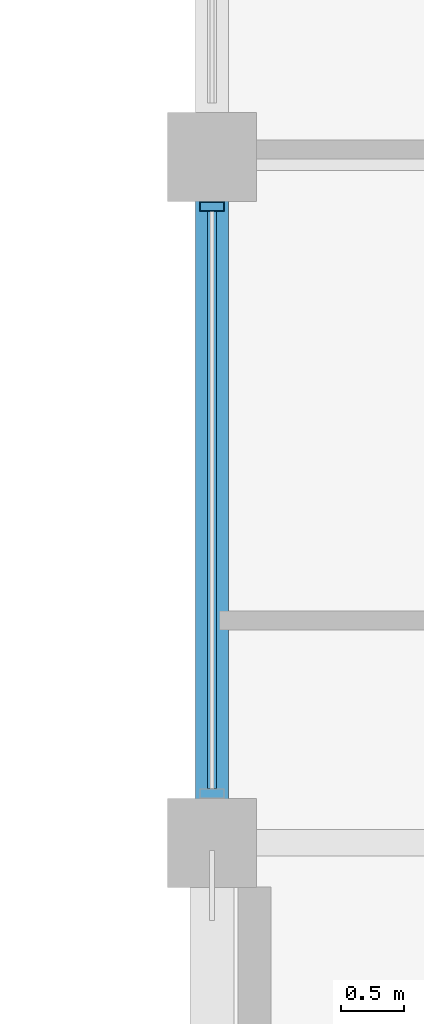
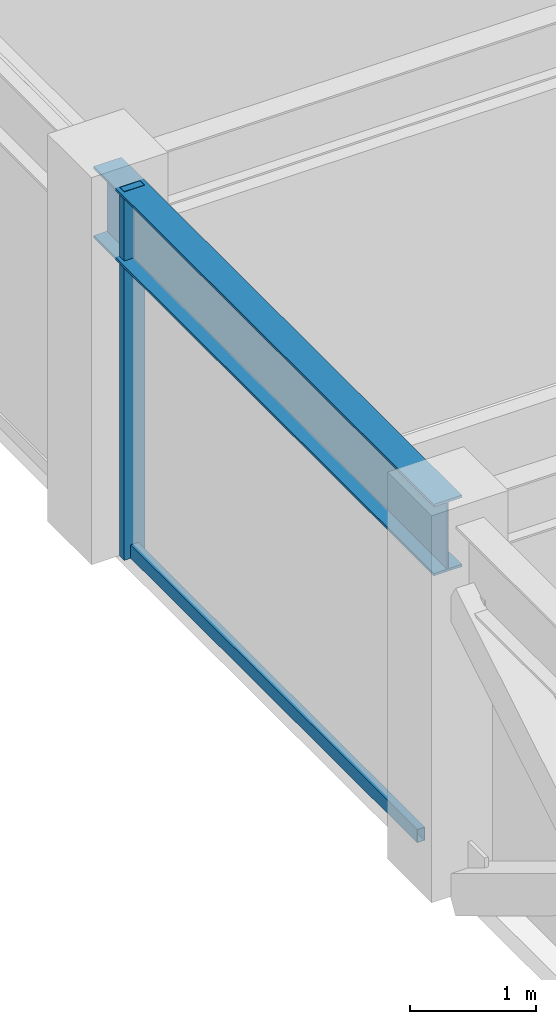
# One storey, part 3 of 29: 2 members, 1 beam, 1 element without a shape of its own.
"""IFC4 building model written with IfcOpenShell, lengths in metres."""

from ifc_helpers import new_model, si_unit, direction, frame, origin, origin_2d, place, context, subcontext, project, spatial, hollow_rectangle, i_section, extrude, material, layer, layer_set, material_profile, profile_set, type_object, element, aggregate, save


model = new_model("IFC4")

# Units and contexts
model_context = context("Model", 3, precision=1e-05, world=origin(), true_north=direction((0.0, 1.0)))
body_context = subcontext(model_context, "Body", "Model", "MODEL_VIEW")
ifc_project = project(units=[si_unit("LENGTHUNIT", "METRE"), si_unit("AREAUNIT", "SQUARE_METRE"), si_unit("VOLUMEUNIT", "CUBIC_METRE"), si_unit("PLANEANGLEUNIT", "RADIAN"), si_unit("MASSUNIT", "GRAM", prefix="KILO")], contexts=[model_context])

# Site, building, storey
site_placement = place(None, origin())
site = spatial("IfcSite", under=ifc_project, at=site_placement, CompositionType="ELEMENT")
building_placement = place(site_placement, origin())
building = spatial("IfcBuilding", under=site, at=building_placement, Name="Surkhivell Harbour Commons", CompositionType="ELEMENT")
storey_placement = place(building_placement, frame((0.0, 0.0, 326.25)))
storey = spatial("IfcBuildingStorey", under=building, at=storey_placement, Name="L85", CompositionType="ELEMENT", Elevation=326.25)

# Beam
ifc_material_1 = material(Name="Steel S355", Category="steel")
ifc_material_profile_1 = material_profile(ifc_material_1, i_section(OverallWidth=0.256103515625, OverallDepth=0.693115234375, WebThickness=0.014404296875, FlangeThickness=0.023681640625, at=origin_2d()), Name="UB686x254x170")
ifc_profile_set_1 = profile_set([ifc_material_profile_1], Name="Steel S355")
beam_type = type_object("IfcBeamType", Name="BM-SPN-686", PredefinedType="SPANDREL", material=ifc_profile_set_1)
beam_placement = place(storey_placement, frame((-27.0, -10.800048828125, 3.223388671875), z_axis=(0.0, 1.0, 0.0), x_axis=(-1.0, 0.0, 0.0)))
element("IfcBeam", 1, at=beam_placement, inside=storey, type_object=beam_type, Name="L85 Tube Spandrel (-27.0,-10.8)", PredefinedType="SPANDREL", context=body_context, shape_type="SweptSolid", body=[
    extrude(i_section(OverallWidth=0.256103515625, OverallDepth=0.693115234375, WebThickness=0.014404296875, FlangeThickness=0.023681640625, at=origin_2d()), origin(), (0.0, 0.0, 1.0), 5.400146484375),
])

# Curtain wall, members
ifc_material_2 = material(Name="Anodised pale-metal aluminium and insulated glazing", Category="aluminium")
ifc_layer = layer(ifc_material_2, 0.175048828125)
ifc_layer_set = layer_set([ifc_layer], Name="Anodised pale-metal aluminium and insulated glazing")
curtain_wall_type = type_object("IfcCurtainWallType", Name="CW-SYS-Z4", PredefinedType="NOTDEFINED", material=ifc_layer_set)
curtain_wall_placement = place(storey_placement, origin())
curtain_wall = element("IfcCurtainWall", 2, at=curtain_wall_placement, inside=storey, type_object=curtain_wall_type, Name="L85 Curtain Wall CW-L85-E12S1", PredefinedType="NOTDEFINED")
ifc_material_3 = material(Name="Anodised pale-metal aluminium alloy 6063-T6", Category="aluminium")
ifc_material_profile_2 = material_profile(ifc_material_3, hollow_rectangle(XDim=0.074951171875, YDim=0.18994140625, WallThickness=0.00390625, at=origin_2d()), Name="ALU-MULL-75x190")
ifc_profile_set_2 = profile_set([ifc_material_profile_2], Name="Anodised pale-metal aluminium alloy 6063-T6")
member_type_1 = type_object("IfcMemberType", Name="CWM-190", PredefinedType="MULLION", material=ifc_profile_set_2)
member_1_placement = place(storey_placement, frame((-27.0, -5.78955078125, 0.0), z_axis=(0.0, 0.0, 1.0), x_axis=(0.0, -1.0, 0.0)))
member_1 = element("IfcMember", 3, at=member_1_placement, type_object=member_type_1, Name="CW-Z4 mullion 6", PredefinedType="MULLION", context=body_context, shape_type="SweptSolid", body=[
    extrude(hollow_rectangle(XDim=0.074951171875, YDim=0.18994140625, WallThickness=0.00390625, at=origin_2d()), origin(), (0.0, 0.0, 1.0), 3.570068359375),
])
ifc_material_4 = material(Name="Champagne anodised aluminium alloy 6063-T6", Category="aluminium")
ifc_material_profile_3 = material_profile(ifc_material_4, hollow_rectangle(XDim=0.070068359375, YDim=0.1298828125, WallThickness=0.00341796875, at=origin_2d()), Name="ALU-TRAN-70x130")
ifc_profile_set_3 = profile_set([ifc_material_profile_3], Name="Champagne anodised aluminium alloy 6063-T6")
member_type_2 = type_object("IfcMemberType", Name="CWT-130", PredefinedType="USERDEFINED", material=ifc_profile_set_3)
member_2_placement = place(storey_placement, frame((-27.0, -5.826904296875, 0.06494140625), z_axis=(0.0, -1.0, 0.0), x_axis=(1.0, 0.0, 0.0)))
member_2 = element("IfcMember", 4, at=member_2_placement, type_object=member_type_2, Name="CW-Z4 transom 6.1", ObjectType="TRANSOM", PredefinedType="USERDEFINED", context=body_context, shape_type="SweptSolid", body=[
    extrude(hollow_rectangle(XDim=0.070068359375, YDim=0.1298828125, WallThickness=0.00341796875, at=origin_2d()), origin(), (0.0, 0.0, 1.0), 4.546142578125),
])
aggregate(curtain_wall, [member_1, member_2])

save(model, "model.ifc")
